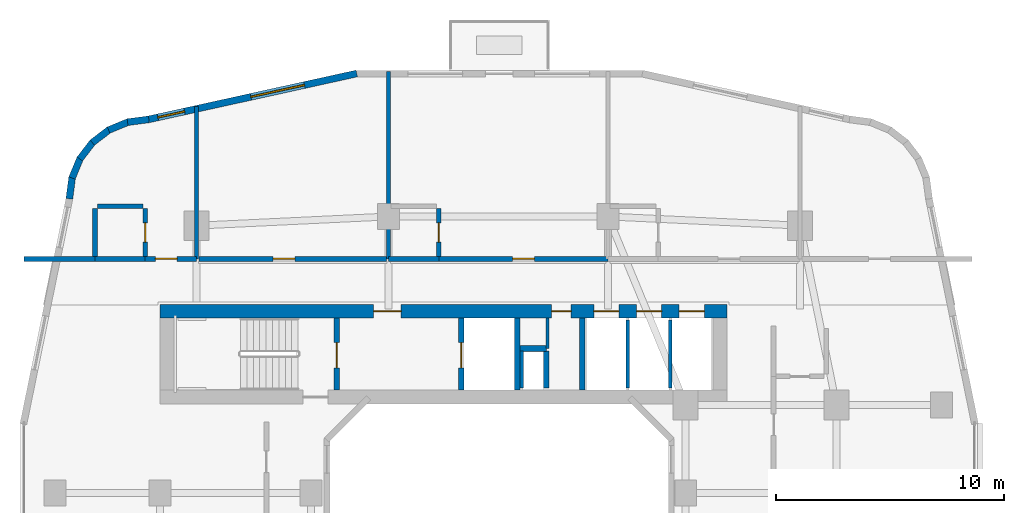
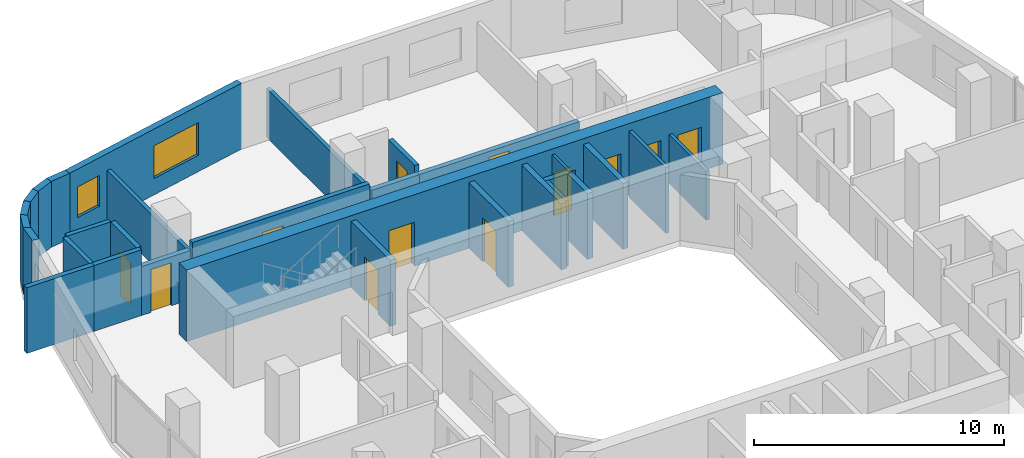
# One storey, part 11 of 22: 30 walls, 12 doors, 2 windows, 14 openings.
"""IFC4 building model written with IfcOpenShell, lengths in metres."""

from ifc_helpers import new_model, si_unit, derived_unit, direction, frame, frame_2d, origin, place, context, subcontext, project, spatial, rectangle, extrude, material, layer, layer_set, type_object, element, fill, save


model = new_model("IFC4")

# Units and contexts
model_context = context("Model", 3, precision=1e-05, world=origin(), true_north=direction((0.0, 1.0)))
body_context = subcontext(model_context, "Body", "Model", "MODEL_VIEW")
ifc_project = project(units=[si_unit("LENGTHUNIT", "METRE"), si_unit("AREAUNIT", "SQUARE_METRE"), si_unit("VOLUMEUNIT", "CUBIC_METRE"), si_unit("PLANEANGLEUNIT", "RADIAN"), si_unit("MASSUNIT", "GRAM", prefix="KILO"), derived_unit("THERMALTRANSMITTANCEUNIT", [(si_unit("POWERUNIT", "WATT"), 1), (si_unit("LENGTHUNIT", "METRE"), -2), (si_unit("THERMODYNAMICTEMPERATUREUNIT", "KELVIN"), -1)])], contexts=[model_context])

# Site, building, storey
site_placement = place(None, origin())
site = spatial("IfcSite", under=ifc_project, at=site_placement, CompositionType="ELEMENT")
building_placement = place(site_placement, origin())
building = spatial("IfcBuilding", under=site, at=building_placement, Name="Kivonza Crest Hotel", CompositionType="ELEMENT")
storey_placement = place(building_placement, frame((0.0, 0.0, 27.5)))
storey = spatial("IfcBuildingStorey", under=building, at=storey_placement, Name="L06", CompositionType="ELEMENT", Elevation=27.5)

# Walls
ifc_material_1 = material(Name="High-density acoustic masonry inter-tenancy wall", Category="masonry")
ifc_layer_1 = layer(ifc_material_1, 0.179931640625)
ifc_layer_set_1 = layer_set([ifc_layer_1], Name="High-density acoustic masonry inter-tenancy wall")
wall_type_1 = type_object("IfcWallType", Name="WL-ACOU-180", PredefinedType="SOLIDWALL", material=ifc_layer_set_1)
wall_1_placement = place(storey_placement, frame((7.800048828125, 38.75, 0.0), z_axis=(0.0, 0.0, 1.0), x_axis=(0.0, 1.0, 0.0)))
element("IfcWall", 1, at=wall_1_placement, inside=storey, type_object=wall_type_1, Name="L06 interior partition WA-L06-T1N-DIV1", PredefinedType="SOLIDWALL", context=body_context, shape_type="SweptSolid", body=[
    extrude(rectangle(XDim=6.656005859375, YDim=0.179931640625, at=frame_2d((3.328125, 0.0))), origin(), (0.0, 0.0, 1.0), 2.39501953125),
])
wall_2_placement = place(storey_placement, frame((16.199951171875, 38.75, 0.0), z_axis=(0.0, 0.0, 1.0), x_axis=(0.0, 1.0, 0.0)))
element("IfcWall", 2, at=wall_2_placement, inside=storey, type_object=wall_type_1, Name="L06 interior partition WA-L06-T1N-DIV2", PredefinedType="SOLIDWALL", context=body_context, shape_type="SweptSolid", body=[
    extrude(rectangle(XDim=8.18994140625, YDim=0.179931640625, at=frame_2d((4.094970703125, 0.0))), origin(), (0.0, 0.0, 1.0), 2.39501953125),
])
ifc_material_2 = material(Name="Autoclaved aerated concrete blockwork", Category="masonry")
ifc_layer_2 = layer(ifc_material_2, 0.219970703125)
ifc_layer_set_2 = layer_set([ifc_layer_2], Name="Autoclaved aerated concrete blockwork")
wall_type_2 = type_object("IfcWallType", Name="WL-ACOU-220", PredefinedType="SOLIDWALL", material=ifc_layer_set_2)
wall_3_placement = place(storey_placement, frame((0.239990234375, 38.75, 0.0), z_axis=(0.0, 0.0, 1.0), x_axis=(1.0, 0.0, 0.0)))
element("IfcWall", 3, at=wall_3_placement, inside=storey, type_object=wall_type_2, Name="L06 interior partition WA-L06-N01-XCORR", PredefinedType="SOLIDWALL", context=body_context, shape_type="SweptSolid", body=[
    extrude(rectangle(XDim=3.110107421875, YDim=0.219970703125, at=frame_2d((1.55517578125, 0.0))), origin(), (0.0, 0.0, 1.0), 3.219970703125),
])
wall_4_placement = place(storey_placement, frame((3.35009765625, 38.75, 0.0), z_axis=(0.0, 0.0, 1.0), x_axis=(1.0, 0.0, 0.0)))
element("IfcWall", 4, at=wall_4_placement, inside=storey, type_object=wall_type_2, Name="L06 interior partition WA-L06-N01-BCORR", PredefinedType="SOLIDWALL", context=body_context, shape_type="SweptSolid", body=[
    extrude(rectangle(XDim=2.199951171875, YDim=0.219970703125, at=frame_2d((1.10009765625, 0.0))), origin(), (0.0, 0.0, 1.0), 3.219970703125),
])

# Wall, opening, door
wall_5_placement = place(storey_placement, frame((5.550048828125, 38.75, 0.0), z_axis=(0.0, 0.0, 1.0), x_axis=(1.0, 0.0, 0.0)))
wall_5 = element("IfcWall", 5, at=wall_5_placement, inside=storey, type_object=wall_type_2, Name="L06 interior partition WA-L06-N01-MCORR", PredefinedType="SOLIDWALL", context=body_context, shape_type="SweptSolid", body=[
    extrude(rectangle(XDim=2.25, YDim=0.219970703125, at=frame_2d((1.125, 0.0))), origin(), (0.0, 0.0, 1.0), 2.39501953125),
])
opening_1_placement = place(wall_5_placement, frame((0.43994140625, 0.0, 0.0)))
opening_1 = element("IfcOpeningElement", 6, at=opening_1_placement, cuts=wall_5, Name="Opening DU-60", PredefinedType="OPENING", context=body_context, shape_type="SweptSolid", body=[
    extrude(rectangle(XDim=0.949951171875, YDim=2.10009765625, at=frame_2d((0.47509765625, 1.050048828125))), frame((0.0, 0.1201171875, 0.0), z_axis=(0.0, -1.0, 0.0), x_axis=(1.0, 0.0, 0.0)), (0.0, 0.0, 1.0), 0.239990234375),
])
ifc_material_3 = material(Name="Hardwood timber oak", Category="wood")
door_type_1 = type_object("IfcDoorType", Name="DR-UNIT-950", OperationType="NOTDEFINED", PredefinedType="DOOR", material=ifc_material_3)
door_1_placement = place(opening_1_placement, origin())
door_1 = element("IfcDoor", 7, at=door_1_placement, inside=storey, type_object=door_type_1, Name="L06 N01 guest unit entrance fire door", OperationType="SINGLE_SWING_LEFT", OverallHeight=2.10009765625, OverallWidth=0.949951171875, PredefinedType="DOOR", context=body_context, shape_type="SweptSolid", body=[
    extrude(rectangle(XDim=0.949951171875, YDim=2.10009765625, at=frame_2d((0.47509765625, 1.050048828125))), frame((0.0, 0.02490234375, 0.0), z_axis=(0.0, -1.0, 0.0), x_axis=(1.0, 0.0, 0.0)), (0.0, 0.0, 1.0), 0.050048828125),
])
fill(opening_1, door_1)

wall_6_placement = place(storey_placement, frame((7.89990234375, 38.75, 0.0), z_axis=(0.0, 0.0, 1.0), x_axis=(1.0, 0.0, 0.0)))
wall_6 = element("IfcWall", 8, at=wall_6_placement, inside=storey, type_object=wall_type_2, Name="L06 interior partition WA-L06-HK-MAIN-S", PredefinedType="SOLIDWALL", context=body_context, shape_type="SweptSolid", body=[
    extrude(rectangle(XDim=8.2001953125, YDim=0.219970703125, at=frame_2d((4.10009765625, 0.0))), origin(), (0.0, 0.0, 1.0), 2.7451171875),
])
opening_2_placement = place(wall_6_placement, frame((3.251953125, 0.0, 0.0)))
opening_2 = element("IfcOpeningElement", 9, at=opening_2_placement, cuts=wall_6, Name="Opening DF-60S", PredefinedType="OPENING", context=body_context, shape_type="SweptSolid", body=[
    extrude(rectangle(XDim=0.949951171875, YDim=2.10009765625, at=frame_2d((0.47509765625, 1.050048828125))), frame((0.0, 0.1201171875, 0.0), z_axis=(0.0, -1.0, 0.0), x_axis=(1.0, 0.0, 0.0)), (0.0, 0.0, 1.0), 0.239990234375),
])
door_type_2 = type_object("IfcDoorType", Name="DR-FD60-950", OperationType="NOTDEFINED", PredefinedType="DOOR", material=ifc_material_3)
door_2_placement = place(opening_2_placement, origin())
door_2 = element("IfcDoor", 10, at=door_2_placement, inside=storey, type_object=door_type_2, Name="L06 Housekeeping and Linen Room door", OperationType="SINGLE_SWING_RIGHT", OverallHeight=2.10009765625, OverallWidth=0.949951171875, PredefinedType="DOOR", context=body_context, shape_type="SweptSolid", body=[
    extrude(rectangle(XDim=0.949951171875, YDim=2.10009765625, at=frame_2d((0.47509765625, 1.050048828125))), frame((0.0, 0.02490234375, 0.0), z_axis=(0.0, -1.0, 0.0), x_axis=(1.0, 0.0, 0.0)), (0.0, 0.0, 1.0), 0.050048828125),
])
fill(opening_2, door_2)

# Wall
wall_7_placement = place(storey_placement, frame((16.199951171875, 38.75, 0.0), z_axis=(0.0, 0.0, 1.0), x_axis=(1.0, 0.0, 0.0)))
element("IfcWall", 11, at=wall_7_placement, inside=storey, type_object=wall_type_2, Name="L06 interior partition WA-L06-N02-BCORR", PredefinedType="SOLIDWALL", context=body_context, shape_type="SweptSolid", body=[
    extrude(rectangle(XDim=2.199951171875, YDim=0.219970703125, at=frame_2d((1.10009765625, 0.0))), origin(), (0.0, 0.0, 1.0), 2.39501953125),
])

# Wall, opening, door
wall_8_placement = place(storey_placement, frame((18.39990234375, 38.75, 0.0), z_axis=(0.0, 0.0, 1.0), x_axis=(1.0, 0.0, 0.0)))
wall_8 = element("IfcWall", 12, at=wall_8_placement, inside=storey, type_object=wall_type_2, Name="L06 interior partition WA-L06-N02-MCORR", PredefinedType="SOLIDWALL", context=body_context, shape_type="SweptSolid", body=[
    extrude(rectangle(XDim=7.400146484375, YDim=0.219970703125, at=frame_2d((3.7001953125, 0.0))), origin(), (0.0, 0.0, 1.0), 2.39501953125),
])
opening_3_placement = place(wall_8_placement, frame((3.22509765625, 0.0, 0.0)))
opening_3 = element("IfcOpeningElement", 13, at=opening_3_placement, cuts=wall_8, Name="Opening DU-60", PredefinedType="OPENING", context=body_context, shape_type="SweptSolid", body=[
    extrude(rectangle(XDim=0.949951171875, YDim=2.10009765625, at=frame_2d((0.47509765625, 1.050048828125))), frame((0.0, 0.1201171875, 0.0), z_axis=(0.0, -1.0, 0.0), x_axis=(1.0, 0.0, 0.0)), (0.0, 0.0, 1.0), 0.239990234375),
])
door_3_placement = place(opening_3_placement, origin())
door_3 = element("IfcDoor", 14, at=door_3_placement, inside=storey, type_object=door_type_1, Name="L06 N02 guest unit entrance fire door", OperationType="SINGLE_SWING_RIGHT", OverallHeight=2.10009765625, OverallWidth=0.949951171875, PredefinedType="DOOR", context=body_context, shape_type="SweptSolid", body=[
    extrude(rectangle(XDim=0.949951171875, YDim=2.10009765625, at=frame_2d((0.47509765625, 1.050048828125))), frame((0.0, 0.02490234375, 0.0), z_axis=(0.0, -1.0, 0.0), x_axis=(1.0, 0.0, 0.0)), (0.0, 0.0, 1.0), 0.050048828125),
])
fill(opening_3, door_3)

# Wall, openings, doors
ifc_material_4 = material(Name="Concrete C60/75", Category="concrete")
ifc_layer_3 = layer(ifc_material_4, 0.60009765625)
ifc_layer_set_3 = layer_set([ifc_layer_3], Name="Concrete C60/75")
wall_type_3 = type_object("IfcWallType", Name="WL-CORE-600", PredefinedType="SHEAR", material=ifc_layer_set_3)
wall_9_placement = place(storey_placement, frame((6.199951171875, 36.4599609375, 0.0), z_axis=(0.0, 0.0, 1.0), x_axis=(1.0, 0.0, 0.0)))
wall_9 = element("IfcWall", 15, at=wall_9_placement, inside=storey, type_object=wall_type_3, Name="Core wall T1-N North L06", PredefinedType="SHEAR", context=body_context, shape_type="SweptSolid", body=[
    extrude(rectangle(XDim=24.800048828125, YDim=0.60009765625, at=frame_2d((12.39990234375, 0.0))), origin(), (0.0, 0.0, 1.0), 3.5),
])
opening_4_placement = place(wall_9_placement, frame((9.35009765625, 0.0, 0.0)))
opening_4 = element("IfcOpeningElement", 16, at=opening_4_placement, cuts=wall_9, Name="Opening DF-60", PredefinedType="OPENING", context=body_context, shape_type="SweptSolid", body=[
    extrude(rectangle(XDim=1.199951171875, YDim=2.14990234375, at=frame_2d((0.60009765625, 1.074951171875))), frame((0.0, 0.31005859375, 0.0), z_axis=(0.0, -1.0, 0.0), x_axis=(1.0, 0.0, 0.0)), (0.0, 0.0, 1.0), 0.6201171875),
])
opening_5_placement = place(wall_9_placement, frame((17.139892578125, 0.0, 0.0)))
opening_5 = element("IfcOpeningElement", 17, at=opening_5_placement, cuts=wall_9, Name="Opening DF-60R", PredefinedType="OPENING", context=body_context, shape_type="SweptSolid", body=[
    extrude(rectangle(XDim=0.85009765625, YDim=2.10009765625, at=frame_2d((0.425048828125, 1.050048828125))), frame((0.0, 0.31005859375, 0.0), z_axis=(0.0, -1.0, 0.0), x_axis=(1.0, 0.0, 0.0)), (0.0, 0.0, 1.0), 0.6201171875),
])
opening_6_placement = place(wall_9_placement, frame((18.98291015625, 0.0, 0.0)))
opening_6 = element("IfcOpeningElement", 18, at=opening_6_placement, cuts=wall_9, Name="Opening LD-120", PredefinedType="OPENING", context=body_context, shape_type="SweptSolid", body=[
    extrude(rectangle(XDim=1.10009765625, YDim=2.14990234375, at=frame_2d((0.550048828125, 1.074951171875))), frame((0.0, 0.31005859375, 0.0), z_axis=(0.0, -1.0, 0.0), x_axis=(1.0, 0.0, 0.0)), (0.0, 0.0, 1.0), 0.6201171875),
])
opening_7_placement = place(wall_9_placement, frame((20.85009765625, 0.0, 0.0)))
opening_7 = element("IfcOpeningElement", 19, at=opening_7_placement, cuts=wall_9, Name="Opening LD-120", PredefinedType="OPENING", context=body_context, shape_type="SweptSolid", body=[
    extrude(rectangle(XDim=1.10009765625, YDim=2.14990234375, at=frame_2d((0.550048828125, 1.074951171875))), frame((0.0, 0.31005859375, 0.0), z_axis=(0.0, -1.0, 0.0), x_axis=(1.0, 0.0, 0.0)), (0.0, 0.0, 1.0), 0.6201171875),
])
opening_8_placement = place(wall_9_placement, frame((22.716064453125, 0.0, 0.0)))
opening_8 = element("IfcOpeningElement", 20, at=opening_8_placement, cuts=wall_9, Name="Opening LD-120", PredefinedType="OPENING", context=body_context, shape_type="SweptSolid", body=[
    extrude(rectangle(XDim=1.10009765625, YDim=2.14990234375, at=frame_2d((0.550048828125, 1.074951171875))), frame((0.0, 0.31005859375, 0.0), z_axis=(0.0, -1.0, 0.0), x_axis=(1.0, 0.0, 0.0)), (0.0, 0.0, 1.0), 0.6201171875),
])
door_type_3 = type_object("IfcDoorType", Name="DR-FD60-1200", OperationType="NOTDEFINED", PredefinedType="DOOR", material=ifc_material_3)
door_4_placement = place(opening_4_placement, origin())
door_4 = element("IfcDoor", 21, at=door_4_placement, inside=storey, type_object=door_type_3, Name="L06 T1-N firefighting lobby fire door", OperationType="SINGLE_SWING_RIGHT", OverallHeight=2.14990234375, OverallWidth=1.199951171875, PredefinedType="DOOR", context=body_context, shape_type="SweptSolid", body=[
    extrude(rectangle(XDim=1.199951171875, YDim=2.14990234375, at=frame_2d((0.60009765625, 1.074951171875))), frame((0.0, 0.02490234375, 0.0), z_axis=(0.0, -1.0, 0.0), x_axis=(1.0, 0.0, 0.0)), (0.0, 0.0, 1.0), 0.050048828125),
])
fill(opening_4, door_4)
door_type_4 = type_object("IfcDoorType", Name="DR-FD60-850", OperationType="NOTDEFINED", PredefinedType="DOOR", material=ifc_material_3)
door_5_placement = place(opening_5_placement, origin())
door_5 = element("IfcDoor", 22, at=door_5_placement, inside=storey, type_object=door_type_4, Name="L06 T1-N core room door", OperationType="SINGLE_SWING_RIGHT", OverallHeight=2.10009765625, OverallWidth=0.85009765625, PredefinedType="DOOR", context=body_context, shape_type="SweptSolid", body=[
    extrude(rectangle(XDim=0.85009765625, YDim=2.10009765625, at=frame_2d((0.425048828125, 1.050048828125))), frame((0.0, 0.02490234375, 0.0), z_axis=(0.0, -1.0, 0.0), x_axis=(1.0, 0.0, 0.0)), (0.0, 0.0, 1.0), 0.050048828125),
])
fill(opening_5, door_5)
ifc_material_5 = material(Name="Stainless steel", Category="steel")
door_type_5 = type_object("IfcDoorType", Name="DR-LD120-1100", OperationType="NOTDEFINED", PredefinedType="DOOR", material=ifc_material_5)
door_6_placement = place(opening_6_placement, origin())
door_6 = element("IfcDoor", 23, at=door_6_placement, inside=storey, type_object=door_type_5, Name="L06 PL-T1-L1 passenger lift sliding landing door", OperationType="DOUBLE_DOOR_SLIDING", OverallHeight=2.14990234375, OverallWidth=1.10009765625, PredefinedType="DOOR", context=body_context, shape_type="SweptSolid", body=[
    extrude(rectangle(XDim=1.10009765625, YDim=2.14990234375, at=frame_2d((0.550048828125, 1.074951171875))), frame((0.0, 0.02490234375, 0.0), z_axis=(0.0, -1.0, 0.0), x_axis=(1.0, 0.0, 0.0)), (0.0, 0.0, 1.0), 0.050048828125),
])
fill(opening_6, door_6)
door_7_placement = place(opening_7_placement, origin())
door_7 = element("IfcDoor", 24, at=door_7_placement, inside=storey, type_object=door_type_5, Name="L06 PL-T1-L2 passenger lift sliding landing door", OperationType="DOUBLE_DOOR_SLIDING", OverallHeight=2.14990234375, OverallWidth=1.10009765625, PredefinedType="DOOR", context=body_context, shape_type="SweptSolid", body=[
    extrude(rectangle(XDim=1.10009765625, YDim=2.14990234375, at=frame_2d((0.550048828125, 1.074951171875))), frame((0.0, 0.02490234375, 0.0), z_axis=(0.0, -1.0, 0.0), x_axis=(1.0, 0.0, 0.0)), (0.0, 0.0, 1.0), 0.050048828125),
])
fill(opening_7, door_7)
door_8_placement = place(opening_8_placement, origin())
door_8 = element("IfcDoor", 25, at=door_8_placement, inside=storey, type_object=door_type_5, Name="L06 PL-T1-L3 passenger lift sliding landing door", OperationType="DOUBLE_DOOR_SLIDING", OverallHeight=2.14990234375, OverallWidth=1.10009765625, PredefinedType="DOOR", context=body_context, shape_type="SweptSolid", body=[
    extrude(rectangle(XDim=1.10009765625, YDim=2.14990234375, at=frame_2d((0.550048828125, 1.074951171875))), frame((0.0, 0.02490234375, 0.0), z_axis=(0.0, -1.0, 0.0), x_axis=(1.0, 0.0, 0.0)), (0.0, 0.0, 1.0), 0.050048828125),
])
fill(opening_8, door_8)

# Wall, openings, windows
ifc_material_6 = material(Name="Precast concrete C40/50", Category="concrete")
ifc_layer_4 = layer(ifc_material_6, 0.300048828125)
ifc_layer_set_4 = layer_set([ifc_layer_4], Name="Precast concrete C40/50")
wall_type_4 = type_object("IfcWallType", Name="WL-EXT-300", PredefinedType="STANDARD", material=ifc_layer_set_4)
wall_10_placement = place(storey_placement, frame((14.80810546875, 46.85888671875, 0.0), z_axis=(0.0, 0.0, 1.0), x_axis=(-0.976555357219, -0.21526642629, 0.0)))
wall_10 = element("IfcWall", 26, at=wall_10_placement, inside=storey, type_object=wall_type_4, Name="L06 T1 exterior insulated wall 27", PredefinedType="STANDARD", context=body_context, shape_type="SweptSolid", body=[
    extrude(rectangle(XDim=9.322509765625, YDim=0.300048828125, at=frame_2d((4.6611328125, 0.0))), origin(), (0.0, 0.0, 1.0), 3.219970703125),
])
opening_9_placement = place(wall_10_placement, frame((2.347900390625, 0.0, 0.800048828125)))
opening_9 = element("IfcOpeningElement", 27, at=opening_9_placement, cuts=wall_10, Name="Opening WN-05", PredefinedType="OPENING", context=body_context, shape_type="SweptSolid", body=[
    extrude(rectangle(XDim=2.39990234375, YDim=1.60009765625, at=frame_2d((1.199951171875, 0.800048828125))), frame((0.0, 0.16015625, 0.0), z_axis=(0.0, -1.0, 0.0), x_axis=(1.0, 0.0, 0.0)), (0.0, 0.0, 1.0), 0.320068359375),
])
opening_10_placement = place(wall_10_placement, frame((7.715087890625, 0.0, 0.85009765625)))
opening_10 = element("IfcOpeningElement", 28, at=opening_10_placement, cuts=wall_10, Name="Opening WN-01", PredefinedType="OPENING", context=body_context, shape_type="SweptSolid", body=[
    extrude(rectangle(XDim=1.199951171875, YDim=1.5, at=frame_2d((0.60009765625, 0.75))), frame((0.0, 0.16015625, 0.0), z_axis=(0.0, -1.0, 0.0), x_axis=(1.0, 0.0, 0.0)), (0.0, 0.0, 1.0), 0.320068359375),
])
ifc_material_7 = material(Name="Thermally broken bronze aluminium and low-E double glazing", Category="aluminium")
window_type_1 = type_object("IfcWindowType", Name="WN-120x150", PartitioningType="SINGLE_PANEL", PredefinedType="WINDOW", material=ifc_material_7)
window_1_placement = place(opening_10_placement, origin())
window_1 = element("IfcWindow", 29, at=window_1_placement, inside=storey, type_object=window_type_1, Name="L06 T1 facade window 27 bay 2", OverallHeight=1.5, OverallWidth=1.199951171875, PartitioningType="SINGLE_PANEL", PredefinedType="WINDOW", context=body_context, shape_type="SweptSolid", body=[
    extrude(rectangle(XDim=1.199951171875, YDim=1.5, at=frame_2d((0.60009765625, 0.75))), frame((0.0, 0.030029296875, 0.0), z_axis=(0.0, -1.0, 0.0), x_axis=(1.0, 0.0, 0.0)), (0.0, 0.0, 1.0), 0.06005859375),
])
fill(opening_10, window_1)
window_type_2 = type_object("IfcWindowType", Name="WN-240x160", PartitioningType="TRIPLE_PANEL_VERTICAL", PredefinedType="WINDOW", material=ifc_material_7)
window_2_placement = place(opening_9_placement, origin())
window_2 = element("IfcWindow", 30, at=window_2_placement, inside=storey, type_object=window_type_2, Name="L06 T1 facade window 27 bay 1", OverallHeight=1.60009765625, OverallWidth=2.39990234375, PartitioningType="SINGLE_PANEL", PredefinedType="WINDOW", context=body_context, shape_type="SweptSolid", body=[
    extrude(rectangle(XDim=2.39990234375, YDim=1.60009765625, at=frame_2d((1.199951171875, 0.800048828125))), frame((0.0, 0.030029296875, 0.0), z_axis=(0.0, -1.0, 0.0), x_axis=(1.0, 0.0, 0.0)), (0.0, 0.0, 1.0), 0.06005859375),
])
fill(opening_9, window_2)

# Walls
wall_11_placement = place(storey_placement, frame((5.7080078125, 44.85205078125, 0.0), z_axis=(0.0, 0.0, 1.0), x_axis=(-0.991359246108, -0.131174864804, 0.0)))
element("IfcWall", 31, at=wall_11_placement, inside=storey, type_object=wall_type_4, Name="L06 T1 exterior insulated wall 28", PredefinedType="STANDARD", context=body_context, shape_type="SweptSolid", body=[
    extrude(rectangle(XDim=0.93798828125, YDim=0.300048828125, at=frame_2d((0.468994140625, 0.0))), origin(), (0.0, 0.0, 1.0), 3.219970703125),
])
wall_12_placement = place(storey_placement, frame((4.827880859375, 44.748046875, 0.0), z_axis=(0.0, 0.0, 1.0), x_axis=(-0.923982547689, -0.382434636986, 0.0)))
element("IfcWall", 32, at=wall_12_placement, inside=storey, type_object=wall_type_4, Name="L06 T1 exterior insulated wall 29", PredefinedType="STANDARD", context=body_context, shape_type="SweptSolid", body=[
    extrude(rectangle(XDim=0.954345703125, YDim=0.300048828125, at=frame_2d((0.47705078125, 0.0))), origin(), (0.0, 0.0, 1.0), 3.219970703125),
])
for number, where, z_axis, x_axis, name in (
    (33, (3.990966796875, 44.4140625, 0.0), (0.0, 0.0, 1.0), (-0.793668068435, -0.608351047625, 0.0), "L06 T1 exterior insulated wall 30"),
    (34, (3.26806640625, 43.875, 0.0), (0.0, 0.0, 1.0), (-0.608351047625, -0.793668068435, 0.0), "L06 T1 exterior insulated wall 31"),
):
    element("IfcWall", number, at=place(storey_placement, frame(where, z_axis=z_axis, x_axis=x_axis)), inside=storey, type_object=wall_type_4, Name=name, PredefinedType="STANDARD", context=body_context, shape_type="SweptSolid", body=[
        extrude(rectangle(XDim=0.955078125, YDim=0.300048828125, at=frame_2d((0.4775390625, 0.0))), origin(), (0.0, 0.0, 1.0), 3.219970703125),
    ])
wall_13_placement = place(storey_placement, frame((2.7109375, 43.166015625, 0.0), z_axis=(0.0, 0.0, 1.0), x_axis=(-0.382344263057, -0.924019948111, 0.0)))
element("IfcWall", 35, at=wall_13_placement, inside=storey, type_object=wall_type_4, Name="L06 T1 exterior insulated wall 32", PredefinedType="STANDARD", context=body_context, shape_type="SweptSolid", body=[
    extrude(rectangle(XDim=0.95458984375, YDim=0.300048828125, at=frame_2d((0.477294921875, 0.0))), origin(), (0.0, 0.0, 1.0), 3.219970703125),
])
wall_14_placement = place(storey_placement, frame((2.35498046875, 42.3369140625, 0.0), z_axis=(0.0, 0.0, 1.0), x_axis=(-0.130454512571, -0.991454295543, 0.0)))
element("IfcWall", 36, at=wall_14_placement, inside=storey, type_object=wall_type_4, Name="L06 T1 exterior insulated wall 33", PredefinedType="STANDARD", context=body_context, shape_type="SweptSolid", body=[
    extrude(rectangle(XDim=0.97314453125, YDim=0.300048828125, at=frame_2d((0.486572265625, 0.0))), origin(), (0.0, 0.0, 1.0), 3.219970703125),
])
ifc_material_8 = material(Name="Concrete blockwork fire-compartment wall", Category="masonry")
ifc_layer_5 = layer(ifc_material_8, 0.25)
ifc_layer_set_5 = layer_set([ifc_layer_5], Name="Concrete blockwork fire-compartment wall")
wall_type_5 = type_object("IfcWallType", Name="WL-FIRE-250", PredefinedType="SOLIDWALL", material=ifc_layer_set_5)
wall_15_placement = place(storey_placement, frame((23.10009765625, 33.10009765625, 0.0), z_axis=(0.0, 0.0, 1.0), x_axis=(0.0, 1.0, 0.0)))
element("IfcWall", 37, at=wall_15_placement, inside=storey, type_object=wall_type_5, Name="L06 interior partition WA-L06-T1-N-MEPR-E", PredefinedType="SOLIDWALL", context=body_context, shape_type="SweptSolid", body=[
    extrude(rectangle(XDim=1.619873046875, YDim=0.25, at=frame_2d((0.81005859375, 0.0))), origin(), (0.0, 0.0, 1.0), 3.219970703125),
])
wall_16_placement = place(storey_placement, frame((21.949951171875, 34.820068359375, 0.0), z_axis=(0.0, 0.0, 1.0), x_axis=(1.0, 0.0, 0.0)))
element("IfcWall", 38, at=wall_16_placement, inside=storey, type_object=wall_type_5, Name="L06 interior partition WA-L06-T1-N-MEPR-H", PredefinedType="SOLIDWALL", context=body_context, shape_type="SweptSolid", body=[
    extrude(rectangle(XDim=1.150146484375, YDim=0.25, at=frame_2d((0.5751953125, 0.0))), origin(), (0.0, 0.0, 1.0), 3.219970703125),
])
ifc_material_9 = material(Name="Metal-stud gypsum board partition", Category="gypsum")
ifc_layer_6 = layer(ifc_material_9, 0.125)
ifc_layer_set_6 = layer_set([ifc_layer_6], Name="Metal-stud gypsum board partition")
wall_type_6 = type_object("IfcWallType", Name="WL-PART-125", PredefinedType="PARTITIONING", material=ifc_layer_set_6)
wall_17_placement = place(storey_placement, frame((23.159912109375, 34.820068359375, 0.0), z_axis=(0.0, 0.0, 1.0), x_axis=(0.0, 1.0, 0.0)))
element("IfcWall", 39, at=wall_17_placement, inside=storey, type_object=wall_type_6, Name="L06 interior partition WP-L06-T1-N-SV1V", PredefinedType="PARTITIONING", context=body_context, shape_type="SweptSolid", body=[
    extrude(rectangle(XDim=1.33984375, YDim=0.125, at=frame_2d((0.669921875, 0.0))), origin(), (0.0, 0.0, 1.0), 3.219970703125),
])
ifc_material_10 = material(Name="Twin-stud acoustic gypsum board partition", Category="gypsum")
ifc_layer_7 = layer(ifc_material_10, 0.14990234375)
ifc_layer_set_7 = layer_set([ifc_layer_7], Name="Twin-stud acoustic gypsum board partition")
wall_type_7 = type_object("IfcWallType", Name="WL-PART-150", PredefinedType="PARTITIONING", material=ifc_layer_set_7)
wall_18_placement = place(storey_placement, frame((22.030029296875, 33.10009765625, 0.0), z_axis=(0.0, 0.0, 1.0), x_axis=(0.0, 1.0, 0.0)))
element("IfcWall", 40, at=wall_18_placement, inside=storey, type_object=wall_type_7, Name="L06 interior partition WA-L06-T1-N-MEPR-W", PredefinedType="PARTITIONING", context=body_context, shape_type="SweptSolid", body=[
    extrude(rectangle(XDim=1.619873046875, YDim=0.14990234375, at=frame_2d((0.81005859375, 0.0))), origin(), (0.0, 0.0, 1.0), 3.219970703125),
])
wall_19_placement = place(storey_placement, frame((26.6669921875, 33.10009765625, 0.0), z_axis=(0.0, 0.0, 1.0), x_axis=(0.0, 1.0, 0.0)))
element("IfcWall", 41, at=wall_19_placement, inside=storey, type_object=wall_type_7, Name="L06 interior partition WP-L06-T1-N-BSH-1", PredefinedType="PARTITIONING", context=body_context, shape_type="SweptSolid", body=[
    extrude(rectangle(XDim=2.9599609375, YDim=0.14990234375, at=frame_2d((1.47998046875, 0.0))), origin(), (0.0, 0.0, 1.0), 3.219970703125),
])
wall_20_placement = place(storey_placement, frame((28.532958984375, 33.10009765625, 0.0), z_axis=(0.0, 0.0, 1.0), x_axis=(0.0, 1.0, 0.0)))
element("IfcWall", 42, at=wall_20_placement, inside=storey, type_object=wall_type_7, Name="L06 interior partition WP-L06-T1-N-BSH-2", PredefinedType="PARTITIONING", context=body_context, shape_type="SweptSolid", body=[
    extrude(rectangle(XDim=2.9599609375, YDim=0.14990234375, at=frame_2d((1.47998046875, 0.0))), origin(), (0.0, 0.0, 1.0), 2.39501953125),
])

# Wall, opening, door
ifc_material_11 = material(Name="Moisture-resistant plumbing chase partition wall", Category="gypsum")
ifc_layer_8 = layer(ifc_material_11, 0.199951171875)
ifc_layer_set_8 = layer_set([ifc_layer_8], Name="Moisture-resistant plumbing chase partition wall")
wall_type_8 = type_object("IfcWallType", Name="WL-PLUMB-200", PredefinedType="PLUMBINGWALL", material=ifc_layer_set_8)
wall_21_placement = place(storey_placement, frame((5.550048828125, 38.85009765625, 0.0), z_axis=(0.0, 0.0, 1.0), x_axis=(0.0, 1.0, 0.0)))
wall_21 = element("IfcWall", 43, at=wall_21_placement, inside=storey, type_object=wall_type_8, Name="L06 interior partition WW-L06-N01-BV", PredefinedType="PLUMBINGWALL", context=body_context, shape_type="SweptSolid", body=[
    extrude(rectangle(XDim=2.099853515625, YDim=0.199951171875, at=frame_2d((1.0498046875, 0.0))), origin(), (0.0, 0.0, 1.0), 3.219970703125),
])
opening_11_placement = place(wall_21_placement, frame((0.625, 0.0, 0.0)))
opening_11 = element("IfcOpeningElement", 44, at=opening_11_placement, cuts=wall_21, Name="Opening DI-85", PredefinedType="OPENING", context=body_context, shape_type="SweptSolid", body=[
    extrude(rectangle(XDim=0.85009765625, YDim=2.10009765625, at=frame_2d((0.425048828125, 1.050048828125))), frame((0.0, 0.10986328125, 0.0), z_axis=(0.0, -1.0, 0.0), x_axis=(1.0, 0.0, 0.0)), (0.0, 0.0, 1.0), 0.219970703125),
])
door_type_6 = type_object("IfcDoorType", Name="DR-INT-850", OperationType="NOTDEFINED", PredefinedType="DOOR", material=ifc_material_3)
door_9_placement = place(opening_11_placement, frame((0.85009765625, 0.0, 0.0), z_axis=(0.0, 0.0, 1.0), x_axis=(-1.0, 0.0, 0.0)))
door_9 = element("IfcDoor", 45, at=door_9_placement, inside=storey, type_object=door_type_6, Name="L06 N01 en-suite bathroom door", OperationType="SINGLE_SWING_RIGHT", OverallHeight=2.10009765625, OverallWidth=0.85009765625, PredefinedType="DOOR", context=body_context, shape_type="SweptSolid", body=[
    extrude(rectangle(XDim=0.85009765625, YDim=2.10009765625, at=frame_2d((0.425048828125, 1.050048828125))), frame((0.0, 0.02490234375, 0.0), z_axis=(0.0, -1.0, 0.0), x_axis=(1.0, 0.0, 0.0)), (0.0, 0.0, 1.0), 0.050048828125),
])
fill(opening_11, door_9)

# Walls
wall_22_placement = place(storey_placement, frame((3.449951171875, 41.050048828125, 0.0), z_axis=(0.0, 0.0, 1.0), x_axis=(1.0, 0.0, 0.0)))
element("IfcWall", 46, at=wall_22_placement, inside=storey, type_object=wall_type_8, Name="L06 interior partition WW-L06-N01-BH", PredefinedType="PLUMBINGWALL", context=body_context, shape_type="SweptSolid", body=[
    extrude(rectangle(XDim=2.0, YDim=0.199951171875, at=frame_2d((1.0, 0.0))), origin(), (0.0, 0.0, 1.0), 3.219970703125),
])
wall_23_placement = place(storey_placement, frame((3.35009765625, 38.85009765625, 0.0), z_axis=(0.0, 0.0, 1.0), x_axis=(0.0, 1.0, 0.0)))
element("IfcWall", 47, at=wall_23_placement, inside=storey, type_object=wall_type_8, Name="L06 interior partition WW-L06-N01-BVW", PredefinedType="PLUMBINGWALL", context=body_context, shape_type="SweptSolid", body=[
    extrude(rectangle(XDim=2.099853515625, YDim=0.199951171875, at=frame_2d((1.0498046875, 0.0))), origin(), (0.0, 0.0, 1.0), 3.219970703125),
])

# Wall, opening, door
wall_24_placement = place(storey_placement, frame((18.39990234375, 38.85009765625, 0.0), z_axis=(0.0, 0.0, 1.0), x_axis=(0.0, 1.0, 0.0)))
wall_24 = element("IfcWall", 48, at=wall_24_placement, inside=storey, type_object=wall_type_8, Name="L06 interior partition WW-L06-N02-BV", PredefinedType="PLUMBINGWALL", context=body_context, shape_type="SweptSolid", body=[
    extrude(rectangle(XDim=2.099853515625, YDim=0.199951171875, at=frame_2d((1.0498046875, 0.0))), origin(), (0.0, 0.0, 1.0), 2.7451171875),
])
opening_12_placement = place(wall_24_placement, frame((0.625, 0.0, 0.0)))
opening_12 = element("IfcOpeningElement", 49, at=opening_12_placement, cuts=wall_24, Name="Opening DI-85", PredefinedType="OPENING", context=body_context, shape_type="SweptSolid", body=[
    extrude(rectangle(XDim=0.85009765625, YDim=2.10009765625, at=frame_2d((0.425048828125, 1.050048828125))), frame((0.0, 0.10986328125, 0.0), z_axis=(0.0, -1.0, 0.0), x_axis=(1.0, 0.0, 0.0)), (0.0, 0.0, 1.0), 0.219970703125),
])
door_10_placement = place(opening_12_placement, frame((0.85009765625, 0.0, 0.0), z_axis=(0.0, 0.0, 1.0), x_axis=(-1.0, 0.0, 0.0)))
door_10 = element("IfcDoor", 50, at=door_10_placement, inside=storey, type_object=door_type_6, Name="L06 N02 en-suite bathroom door", OperationType="SINGLE_SWING_LEFT", OverallHeight=2.10009765625, OverallWidth=0.85009765625, PredefinedType="DOOR", context=body_context, shape_type="SweptSolid", body=[
    extrude(rectangle(XDim=0.85009765625, YDim=2.10009765625, at=frame_2d((0.425048828125, 1.050048828125))), frame((0.0, 0.02490234375, 0.0), z_axis=(0.0, -1.0, 0.0), x_axis=(1.0, 0.0, 0.0)), (0.0, 0.0, 1.0), 0.050048828125),
])
fill(opening_12, door_10)

ifc_material_12 = material(Name="Concrete C50/60", Category="concrete")
ifc_layer_9 = layer(ifc_material_12, 0.25)
ifc_layer_set_9 = layer_set([ifc_layer_9], Name="Concrete C50/60")
wall_type_9 = type_object("IfcWallType", Name="WL-SHAFT-250", PredefinedType="STANDARD", material=ifc_layer_set_9)
wall_25_placement = place(storey_placement, frame((13.925048828125, 33.0, 0.0), z_axis=(0.0, 0.0, 1.0), x_axis=(0.0, 1.0, 0.0)))
wall_25 = element("IfcWall", 51, at=wall_25_placement, inside=storey, type_object=wall_type_9, Name="Core shaft wall T1-N STAIR L06", PredefinedType="STANDARD", context=body_context, shape_type="SweptSolid", body=[
    extrude(rectangle(XDim=3.159912109375, YDim=0.25, at=frame_2d((1.580078125, 0.0))), origin(), (0.0, 0.0, 1.0), 3.219970703125),
])
opening_13_placement = place(wall_25_placement, frame((0.97998046875, 0.0, 0.0)))
opening_13 = element("IfcOpeningElement", 52, at=opening_13_placement, cuts=wall_25, Name="Opening DF-120", PredefinedType="OPENING", context=body_context, shape_type="SweptSolid", body=[
    extrude(rectangle(XDim=1.10009765625, YDim=2.14990234375, at=frame_2d((0.550048828125, 1.074951171875))), frame((0.0, 0.135009765625, 0.0), z_axis=(0.0, -1.0, 0.0), x_axis=(1.0, 0.0, 0.0)), (0.0, 0.0, 1.0), 0.27001953125),
])
ifc_material_13 = material(Name="Galvanised steel", Category="steel")
door_type_7 = type_object("IfcDoorType", Name="DR-FD120-1100", OperationType="NOTDEFINED", PredefinedType="DOOR", material=ifc_material_13)
door_11_placement = place(opening_13_placement, frame((1.10009765625, 0.0, 0.0), z_axis=(0.0, 0.0, 1.0), x_axis=(-1.0, 0.0, 0.0)))
door_11 = element("IfcDoor", 53, at=door_11_placement, inside=storey, type_object=door_type_7, Name="L06 T1-N stair fire door", OperationType="SINGLE_SWING_LEFT", OverallHeight=2.14990234375, OverallWidth=1.10009765625, PredefinedType="DOOR", context=body_context, shape_type="SweptSolid", body=[
    extrude(rectangle(XDim=1.10009765625, YDim=2.14990234375, at=frame_2d((0.550048828125, 1.074951171875))), frame((0.0, 0.02490234375, 0.0), z_axis=(0.0, -1.0, 0.0), x_axis=(1.0, 0.0, 0.0)), (0.0, 0.0, 1.0), 0.050048828125),
])
fill(opening_13, door_11)

wall_26_placement = place(storey_placement, frame((19.375, 33.0, 0.0), z_axis=(0.0, 0.0, 1.0), x_axis=(0.0, 1.0, 0.0)))
wall_26 = element("IfcWall", 54, at=wall_26_placement, inside=storey, type_object=wall_type_9, Name="Core shaft wall T1-N FFL-W L06", PredefinedType="STANDARD", context=body_context, shape_type="SweptSolid", body=[
    extrude(rectangle(XDim=3.159912109375, YDim=0.25, at=frame_2d((1.580078125, 0.0))), origin(), (0.0, 0.0, 1.0), 3.219970703125),
])
opening_14_placement = place(wall_26_placement, frame((0.97998046875, 0.0, 0.0)))
opening_14 = element("IfcOpeningElement", 55, at=opening_14_placement, cuts=wall_26, Name="Opening LD-120", PredefinedType="OPENING", context=body_context, shape_type="SweptSolid", body=[
    extrude(rectangle(XDim=1.10009765625, YDim=2.14990234375, at=frame_2d((0.550048828125, 1.074951171875))), frame((0.0, 0.135009765625, 0.0), z_axis=(0.0, -1.0, 0.0), x_axis=(1.0, 0.0, 0.0)), (0.0, 0.0, 1.0), 0.27001953125),
])
door_12_placement = place(opening_14_placement, origin())
door_12 = element("IfcDoor", 56, at=door_12_placement, inside=storey, type_object=door_type_5, Name="L06 FFL-T1-N firefighting lift sliding landing door", OperationType="DOUBLE_DOOR_SLIDING", OverallHeight=2.14990234375, OverallWidth=1.10009765625, PredefinedType="DOOR", context=body_context, shape_type="SweptSolid", body=[
    extrude(rectangle(XDim=1.10009765625, YDim=2.14990234375, at=frame_2d((0.550048828125, 1.074951171875))), frame((0.0, 0.02490234375, 0.0), z_axis=(0.0, -1.0, 0.0), x_axis=(1.0, 0.0, 0.0)), (0.0, 0.0, 1.0), 0.050048828125),
])
fill(opening_14, door_12)

# Walls
for number, where, z_axis, x_axis, name in (
    (57, (21.824951171875, 33.0, 0.0), (0.0, 0.0, 1.0), (0.0, 1.0, 0.0), "Core shaft wall T1-N FFL-E L06"),
    (58, (24.675048828125, 33.0, 0.0), (0.0, 0.0, 1.0), (0.0, 1.0, 0.0), "Core shaft wall T1-N BANK-W L06"),
):
    element("IfcWall", number, at=place(storey_placement, frame(where, z_axis=z_axis, x_axis=x_axis)), inside=storey, type_object=wall_type_9, Name=name, PredefinedType="STANDARD", context=body_context, shape_type="SweptSolid", body=[
        extrude(rectangle(XDim=3.159912109375, YDim=0.25, at=frame_2d((1.580078125, 0.0))), origin(), (0.0, 0.0, 1.0), 3.219970703125),
    ])

save(model, "model.ifc")
